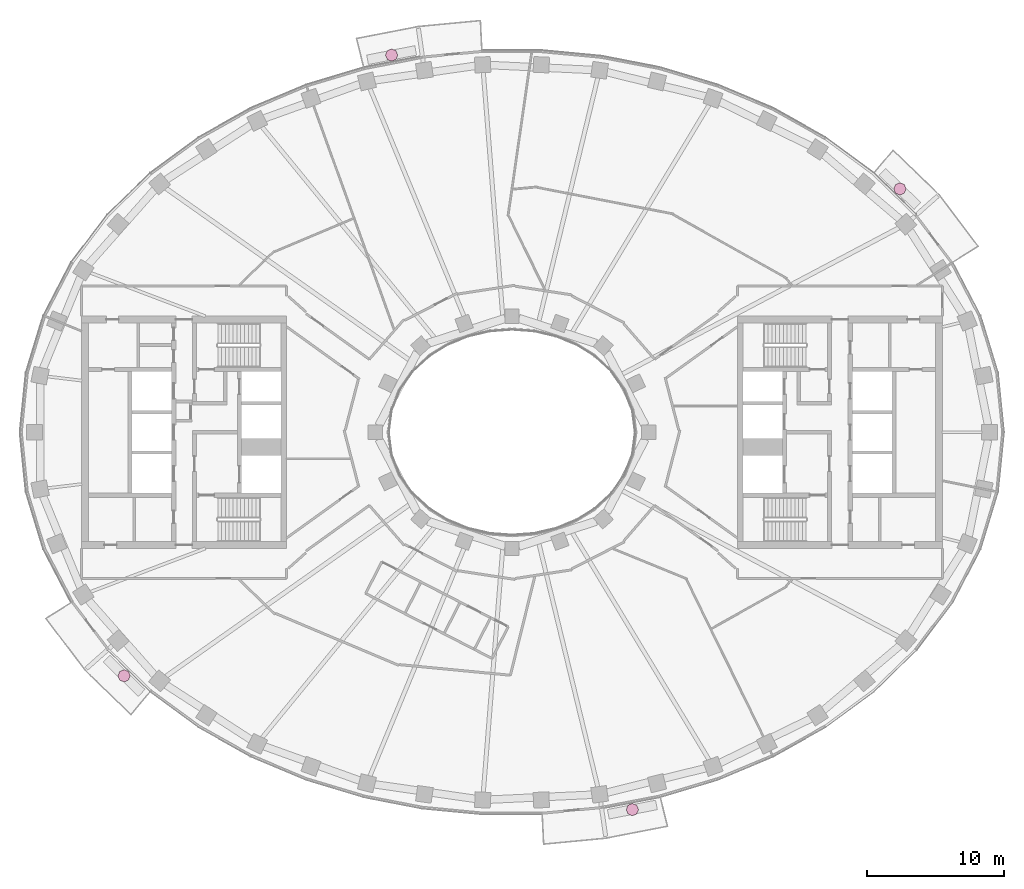
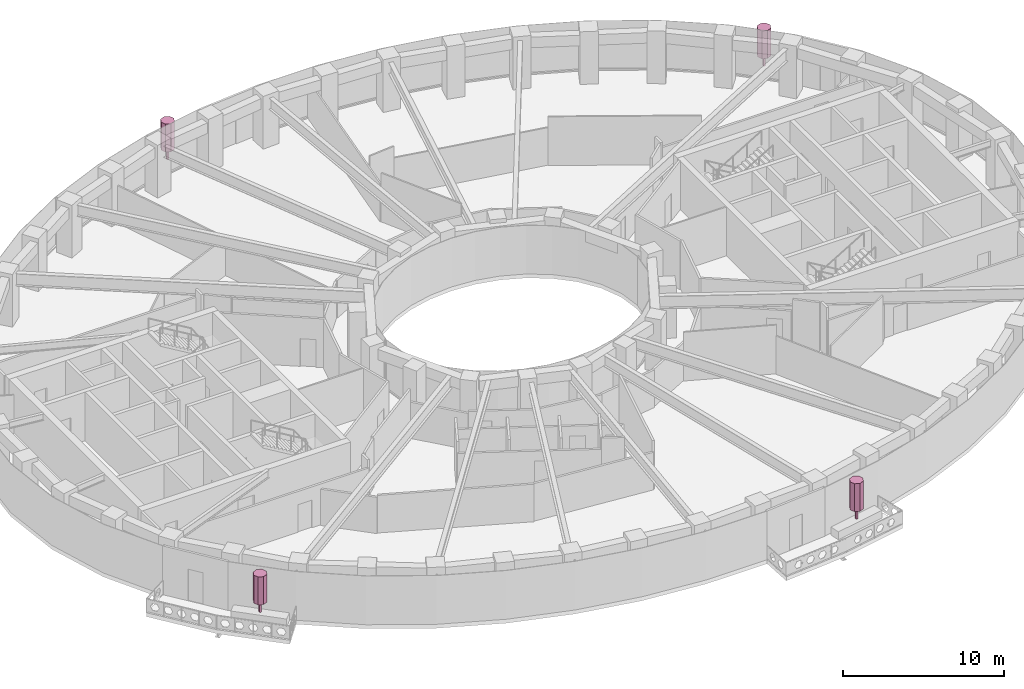
# One storey, part 16 of 16: 4 furnishings.
"""IFC4 building model written with IfcOpenShell, lengths in metres."""

from ifc_helpers import new_model, si_unit, direction, frame, origin, origin_2d, place, context, subcontext, project, spatial, polyline, rectangle, outline, extrude, material, type_object, element, save


model = new_model("IFC4")

# Units and contexts
model_context = context("Model", 3, precision=1e-05, world=origin(), true_north=direction((0.0, 1.0)))
body_context = subcontext(model_context, "Body", "Model", "MODEL_VIEW")
ifc_project = project(units=[si_unit("LENGTHUNIT", "METRE"), si_unit("AREAUNIT", "SQUARE_METRE"), si_unit("VOLUMEUNIT", "CUBIC_METRE"), si_unit("PLANEANGLEUNIT", "RADIAN"), si_unit("MASSUNIT", "GRAM", prefix="KILO")], contexts=[model_context])

# Site, building, storey
site_placement = place(None, origin())
site = spatial("IfcSite", under=ifc_project, at=site_placement, CompositionType="ELEMENT")
building_placement = place(site_placement, origin())
building = spatial("IfcBuilding", under=site, at=building_placement, Name="Noorbagh Ring Tower", CompositionType="ELEMENT")
storey_placement = place(building_placement, frame((0.0, 0.0, 174.0)))
storey = spatial("IfcBuildingStorey", under=building, at=storey_placement, Name="L40", CompositionType="ELEMENT", Elevation=174.0)

# Furnishings
ifc_material = material(Name="Planting foliage green")
furnishing_element_type = type_object("IfcFurnishingElementType", Name="ENV-TREE", material=ifc_material)
for number, where, z_axis, x_axis, name in (
    (1, (28.3837890625, 17.814208984375, 0.60009765625), (0.0, 0.0, 1.0), (1.0, 0.0, 0.0), "Tree BN01"),
    (2, (-8.807861328125, 27.603515625, 0.60009765625), (0.0, 0.0, 1.0), (1.0, 0.0, 0.0), "Tree BN04"),
    (3, (-28.3837890625, -17.814208984375, 0.60009765625), (0.0, 0.0, 1.0), (1.0, 0.0, 0.0), "Tree BS01"),
    (4, (8.807861328125, -27.603515625, 0.60009765625), (0.0, 0.0, 1.0), (1.0, 0.0, 0.0), "Tree BS04"),
):
    element("IfcFurnishingElement", number, at=place(storey_placement, frame(where, z_axis=z_axis, x_axis=x_axis)), inside=storey, type_object=furnishing_element_type, Name=name, context=body_context, shape_type="SweptSolid", body=[
        extrude(rectangle(XDim=0.1201171875, YDim=0.1201171875, at=origin_2d()), origin(), (0.0, 0.0, 1.0), 0.825927734375),
        extrude(outline(polyline([(0.449951171875, 0.0), (0.318115234375, 0.318115234375), (0.0, 0.449951171875), (-0.318115234375, 0.318115234375), (-0.449951171875, 0.0), (-0.318115234375, -0.318115234375), (0.0, -0.449951171875), (0.318115234375, -0.318115234375), (0.449951171875, 0.0)])), frame((0.0, 0.0, 0.825927734375)), (0.0, 0.0, 1.0), 2.1240234375),
    ])

save(model, "model.ifc")
